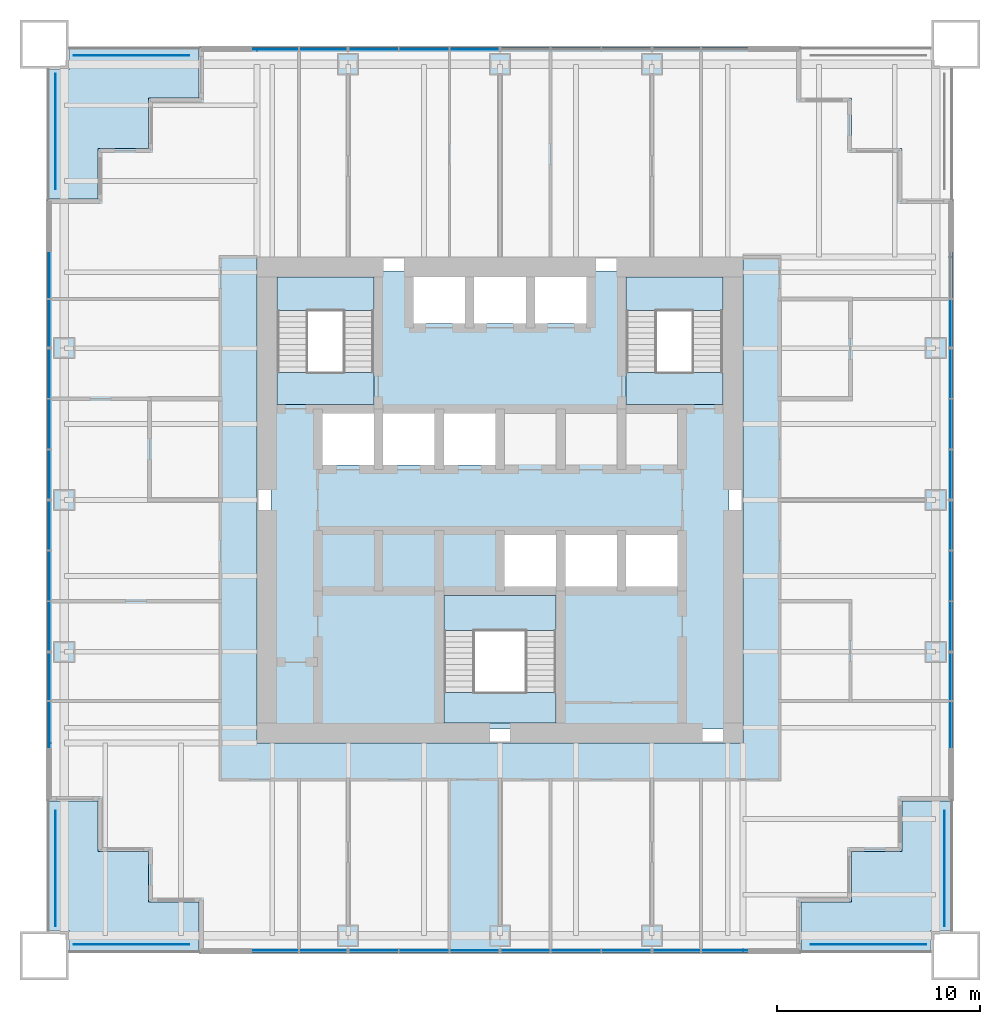
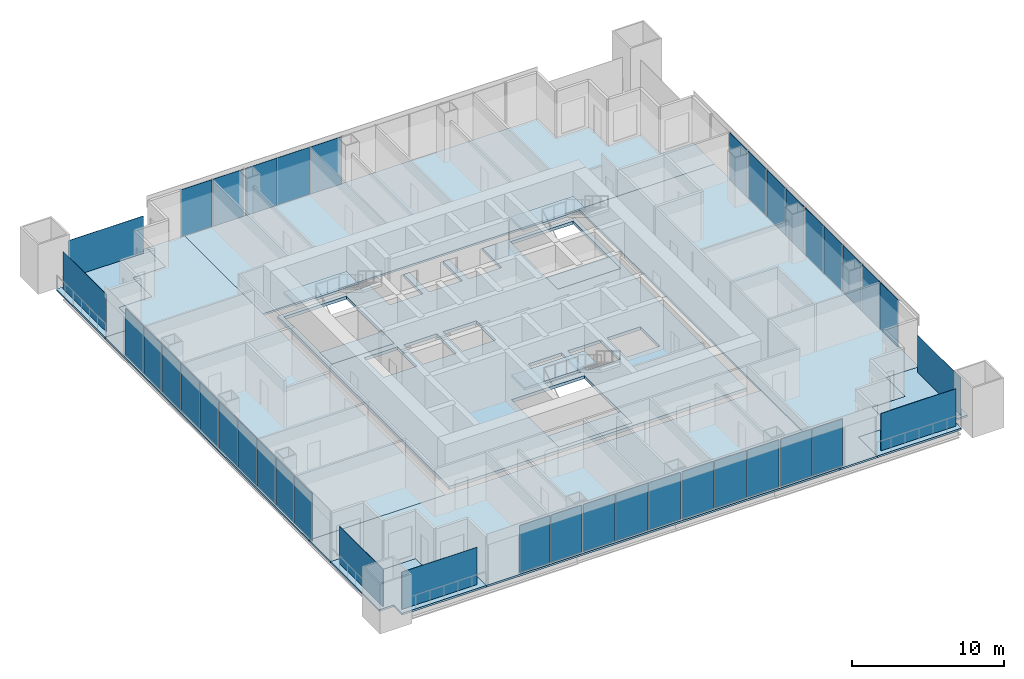
# One storey, part 7 of 13: 40 plates, 14 slabs, 17 elements without a shape of their own.
"""IFC4 building model written with IfcOpenShell, lengths in metres."""

from ifc_helpers import new_model, si_unit, direction, frame, origin, origin_2d, place, context, subcontext, project, spatial, polyline, rectangle, outline, extrude, material, layer, layer_set, type_object, element, aggregate, save


model = new_model("IFC4")

# Units and contexts
model_context = context("Model", 3, precision=1e-05, world=origin(), true_north=direction((0.0, 1.0)))
body_context = subcontext(model_context, "Body", "Model", "MODEL_VIEW")
ifc_project = project(units=[si_unit("LENGTHUNIT", "METRE"), si_unit("AREAUNIT", "SQUARE_METRE"), si_unit("VOLUMEUNIT", "CUBIC_METRE"), si_unit("PLANEANGLEUNIT", "RADIAN"), si_unit("MASSUNIT", "GRAM", prefix="KILO")], contexts=[model_context])

# Site, building, storey
site_placement = place(None, origin())
site = spatial("IfcSite", under=ifc_project, at=site_placement, CompositionType="ELEMENT")
building_placement = place(site_placement, origin())
building = spatial("IfcBuilding", under=site, at=building_placement, Name="Tarangal Relay Tower", CompositionType="ELEMENT")
storey_placement = place(building_placement, frame((0.0, 0.0, 181.89990234375)))
storey = spatial("IfcBuildingStorey", under=building, at=storey_placement, Name="L37", CompositionType="ELEMENT", Elevation=181.89990234375)

# Slabs
ifc_material_1 = material(Name="Concrete fc' 35 MPa", Category="concrete")
ifc_layer_1 = layer(ifc_material_1, 0.25)
ifc_layer_set_1 = layer_set([ifc_layer_1], Name="Core floor slab 250")
slab_type_1 = type_object("IfcSlabType", Name="Core floor slab 250", PredefinedType="FLOOR", material=ifc_layer_set_1)
slab_1_placement = place(storey_placement, frame((0.0, 0.0, -0.25)))
element("IfcSlab", 1, at=slab_1_placement, inside=storey, type_object=slab_type_1, Name="Core floor slab L37", PredefinedType="FLOOR", context=body_context, shape_type="SweptSolid", body=[
    extrude(outline(polyline([(11.300048828125, 11.300048828125), (11.300048828125, -11.300048828125), (-11.300048828125, -11.300048828125), (-11.300048828125, 11.300048828125), (-4.27490234375, 11.300048828125), (-4.27490234375, 8.72509765625), (-1.72509765625, 8.72509765625), (-1.72509765625, 11.300048828125), (-1.27490234375, 11.300048828125), (-1.27490234375, 8.72509765625), (1.27490234375, 8.72509765625), (1.27490234375, 11.300048828125), (1.72509765625, 11.300048828125), (1.72509765625, 8.72509765625), (4.27490234375, 8.72509765625), (4.27490234375, 11.300048828125), (11.300048828125, 11.300048828125)]), holes=[polyline([(-6.22509765625, 4.27490234375), (-8.77490234375, 4.27490234375), (-8.77490234375, 1.72509765625), (-6.22509765625, 1.72509765625), (-6.22509765625, 4.27490234375)]), polyline([(-3.22509765625, 1.72509765625), (-3.22509765625, 4.27490234375), (-5.77490234375, 4.27490234375), (-5.77490234375, 1.72509765625), (-3.22509765625, 1.72509765625)]), polyline([(-0.22509765625, 1.72509765625), (-0.22509765625, 4.27490234375), (-2.77490234375, 4.27490234375), (-2.77490234375, 1.72509765625), (-0.22509765625, 1.72509765625)]), polyline([(-6.22509765625, 11.0), (-11.0, 11.0), (-11.0, 4.72509765625), (-6.22509765625, 4.72509765625), (-6.22509765625, 11.0)]), polyline([(2.77490234375, -4.72509765625), (-2.77490234375, -4.72509765625), (-2.77490234375, -11.0), (2.77490234375, -11.0), (2.77490234375, -4.72509765625)]), polyline([(2.77490234375, -4.27490234375), (2.77490234375, -1.72509765625), (0.22509765625, -1.72509765625), (0.22509765625, -4.27490234375), (2.77490234375, -4.27490234375)]), polyline([(5.77490234375, -4.27490234375), (5.77490234375, -1.72509765625), (3.22509765625, -1.72509765625), (3.22509765625, -4.27490234375), (5.77490234375, -4.27490234375)]), polyline([(8.77490234375, -1.72509765625), (6.22509765625, -1.72509765625), (6.22509765625, -4.27490234375), (8.77490234375, -4.27490234375), (8.77490234375, -1.72509765625)]), polyline([(11.0, 4.72509765625), (11.0, 11.0), (6.22509765625, 11.0), (6.22509765625, 4.72509765625), (11.0, 4.72509765625)])]), origin(), (0.0, 0.0, 1.0), 0.25),
])
ifc_layer_2 = layer(ifc_material_1, 0.14990234375)
ifc_layer_set_2 = layer_set([ifc_layer_2], Name="Floor slab 150")
slab_type_2 = type_object("IfcSlabType", Name="Floor slab 150", PredefinedType="FLOOR", material=ifc_layer_set_2)
slab_2_placement = place(storey_placement, frame((0.0, 0.0, -0.14990234375)))
element("IfcSlab", 2, at=slab_2_placement, inside=storey, type_object=slab_type_2, Name="Floor slab FS3 L37 north bay", PredefinedType="FLOOR", context=body_context, shape_type="SweptSolid", body=[
    extrude(outline(polyline([(14.85009765625, 22.35009765625), (14.85009765625, 19.85009765625), (17.35009765625, 19.85009765625), (17.35009765625, 17.35009765625), (19.85009765625, 17.35009765625), (19.85009765625, 14.85009765625), (22.35009765625, 14.85009765625), (22.35009765625, 12.0), (-12.0, 12.0), (-12.0, 22.35009765625), (14.85009765625, 22.35009765625)])), origin(), (0.0, 0.0, 1.0), 0.14990234375),
])
slab_3_placement = place(storey_placement, frame((0.0, 0.0, -0.14990234375)))
element("IfcSlab", 3, at=slab_3_placement, inside=storey, type_object=slab_type_2, Name="Floor slab FS3 L37 east bay", PredefinedType="FLOOR", context=body_context, shape_type="SweptSolid", body=[
    extrude(outline(polyline([(22.35009765625, -14.85009765625), (19.85009765625, -14.85009765625), (19.85009765625, -17.35009765625), (17.35009765625, -17.35009765625), (17.35009765625, -19.85009765625), (14.85009765625, -19.85009765625), (14.85009765625, -22.35009765625), (12.0, -22.35009765625), (12.0, 12.0), (22.35009765625, 12.0), (22.35009765625, -14.85009765625)])), origin(), (0.0, 0.0, 1.0), 0.14990234375),
])
slab_4_placement = place(storey_placement, frame((0.0, 0.0, -0.14990234375)))
element("IfcSlab", 4, at=slab_4_placement, inside=storey, type_object=slab_type_2, Name="Floor slab FS3 L37 south bay", PredefinedType="FLOOR", context=body_context, shape_type="SweptSolid", body=[
    extrude(outline(polyline([(-14.85009765625, -22.35009765625), (-14.85009765625, -19.85009765625), (-17.35009765625, -19.85009765625), (-17.35009765625, -17.35009765625), (-19.85009765625, -17.35009765625), (-19.85009765625, -14.85009765625), (-22.35009765625, -14.85009765625), (-22.35009765625, -12.0), (12.0, -12.0), (12.0, -22.35009765625), (-14.85009765625, -22.35009765625)])), origin(), (0.0, 0.0, 1.0), 0.14990234375),
])
slab_5_placement = place(storey_placement, frame((0.0, 0.0, -0.14990234375)))
element("IfcSlab", 5, at=slab_5_placement, inside=storey, type_object=slab_type_2, Name="Floor slab FS3 L37 west bay", PredefinedType="FLOOR", context=body_context, shape_type="SweptSolid", body=[
    extrude(outline(polyline([(-12.0, 22.35009765625), (-12.0, -12.0), (-22.35009765625, -12.0), (-22.35009765625, 14.85009765625), (-19.85009765625, 14.85009765625), (-19.85009765625, 17.35009765625), (-17.35009765625, 17.35009765625), (-17.35009765625, 19.85009765625), (-14.85009765625, 19.85009765625), (-14.85009765625, 22.35009765625), (-12.0, 22.35009765625)])), origin(), (0.0, 0.0, 1.0), 0.14990234375),
])

# Curtain wall, plates
ifc_material_2 = material(Name="Unitised curtain wall, dark glass and black aluminium", Category="aluminium")
curtain_wall_type = type_object("IfcCurtainWallType", Name="Curtain wall CW-A", PredefinedType="USERDEFINED", material=ifc_material_2)
curtain_wall_1_placement = place(storey_placement, origin())
curtain_wall_1 = element("IfcCurtainWall", 6, at=curtain_wall_1_placement, inside=storey, type_object=curtain_wall_type, Name="Curtain wall CW-A N facade L37", ObjectType="UNITISED CURTAIN WALL", PredefinedType="USERDEFINED")
ifc_material_3 = material(Name="Dark tinted insulated glass unit", Category="glass")
ifc_layer_3 = layer(ifc_material_3, 0.031982421875)
ifc_layer_set_3 = layer_set([ifc_layer_3], Name="Glazed panel CW-A 32")
plate_type_1 = type_object("IfcPlateType", Name="Glazed panel CW-A 32", PredefinedType="CURTAIN_PANEL", material=ifc_layer_set_3)
plate_1_placement = place(storey_placement, frame((-11.108642578125, 22.25, 0.06494140625), z_axis=(0.0, 0.0, 1.0), x_axis=(1.0, 0.0, 0.0)))
plate_1 = element("IfcPlate", 7, at=plate_1_placement, type_object=plate_type_1, Name="CW-A panel 1.1", PredefinedType="CURTAIN_PANEL", context=body_context, shape_type="SweptSolid", body=[
    extrude(rectangle(XDim=2.319091796875, YDim=0.031982421875, at=origin_2d()), origin(), (0.0, 0.0, 1.0), 3.784912109375),
])
plate_2_placement = place(storey_placement, frame((-8.724609375, 22.25, 0.06494140625), z_axis=(0.0, 0.0, 1.0), x_axis=(1.0, 0.0, 0.0)))
plate_2 = element("IfcPlate", 8, at=plate_2_placement, type_object=plate_type_1, Name="CW-A panel 2.1", PredefinedType="CURTAIN_PANEL", context=body_context, shape_type="SweptSolid", body=[
    extrude(rectangle(XDim=2.319091796875, YDim=0.031982421875, at=origin_2d()), origin(), (0.0, 0.0, 1.0), 3.784912109375),
])
aggregate(curtain_wall_1, [plate_1, plate_2])

curtain_wall_2_placement = place(storey_placement, origin())
curtain_wall_2 = element("IfcCurtainWall", 9, at=curtain_wall_2_placement, inside=storey, type_object=curtain_wall_type, Name="Curtain wall CW-A N facade L37", ObjectType="UNITISED CURTAIN WALL", PredefinedType="USERDEFINED")
plate_3_placement = place(storey_placement, frame((-6.233642578125, 22.25, 0.06494140625), z_axis=(0.0, 0.0, 1.0), x_axis=(1.0, 0.0, 0.0)))
plate_3 = element("IfcPlate", 10, at=plate_3_placement, type_object=plate_type_1, Name="CW-A panel 1.1", PredefinedType="CURTAIN_PANEL", context=body_context, shape_type="SweptSolid", body=[
    extrude(rectangle(XDim=2.402587890625, YDim=0.031982421875, at=origin_2d()), origin(), (0.0, 0.0, 1.0), 3.784912109375),
])
plate_4_placement = place(storey_placement, frame((-3.75, 22.25, 0.06494140625), z_axis=(0.0, 0.0, 1.0), x_axis=(1.0, 0.0, 0.0)))
plate_4 = element("IfcPlate", 11, at=plate_4_placement, type_object=plate_type_1, Name="CW-A panel 2.1", PredefinedType="CURTAIN_PANEL", context=body_context, shape_type="SweptSolid", body=[
    extrude(rectangle(XDim=2.43505859375, YDim=0.031982421875, at=origin_2d()), origin(), (0.0, 0.0, 1.0), 3.784912109375),
])
plate_5_placement = place(storey_placement, frame((-1.266357421875, 22.25, 0.06494140625), z_axis=(0.0, 0.0, 1.0), x_axis=(1.0, 0.0, 0.0)))
plate_5 = element("IfcPlate", 12, at=plate_5_placement, type_object=plate_type_1, Name="CW-A panel 3.1", PredefinedType="CURTAIN_PANEL", context=body_context, shape_type="SweptSolid", body=[
    extrude(rectangle(XDim=2.402587890625, YDim=0.031982421875, at=origin_2d()), origin(), (0.0, 0.0, 1.0), 3.784912109375),
])
aggregate(curtain_wall_2, [plate_3, plate_4, plate_5])

# Curtain wall, plate
curtain_wall_3_placement = place(storey_placement, origin())
curtain_wall_3 = element("IfcCurtainWall", 13, at=curtain_wall_3_placement, inside=storey, type_object=curtain_wall_type, Name="Curtain wall CW-A E facade L37", ObjectType="UNITISED CURTAIN WALL", PredefinedType="USERDEFINED")
plate_6_placement = place(storey_placement, frame((22.25, 8.724609375, 0.06494140625), z_axis=(0.0, 0.0, 1.0), x_axis=(0.0, -1.0, 0.0)))
plate_6 = element("IfcPlate", 14, at=plate_6_placement, type_object=plate_type_1, Name="CW-A panel 2.1", PredefinedType="CURTAIN_PANEL", context=body_context, shape_type="SweptSolid", body=[
    extrude(rectangle(XDim=2.319091796875, YDim=0.031982421875, at=origin_2d()), origin(), (0.0, 0.0, 1.0), 3.784912109375),
])
aggregate(curtain_wall_3, [plate_6])

# Curtain wall, plates
curtain_wall_4_placement = place(storey_placement, origin())
curtain_wall_4 = element("IfcCurtainWall", 15, at=curtain_wall_4_placement, inside=storey, type_object=curtain_wall_type, Name="Curtain wall CW-A E facade L37", ObjectType="UNITISED CURTAIN WALL", PredefinedType="USERDEFINED")
plate_7_placement = place(storey_placement, frame((22.25, 6.233642578125, 0.06494140625), z_axis=(0.0, 0.0, 1.0), x_axis=(0.0, -1.0, 0.0)))
plate_7 = element("IfcPlate", 16, at=plate_7_placement, type_object=plate_type_1, Name="CW-A panel 1.1", PredefinedType="CURTAIN_PANEL", context=body_context, shape_type="SweptSolid", body=[
    extrude(rectangle(XDim=2.402587890625, YDim=0.031982421875, at=origin_2d()), origin(), (0.0, 0.0, 1.0), 3.784912109375),
])
plate_8_placement = place(storey_placement, frame((22.25, 3.75, 0.06494140625), z_axis=(0.0, 0.0, 1.0), x_axis=(0.0, -1.0, 0.0)))
plate_8 = element("IfcPlate", 17, at=plate_8_placement, type_object=plate_type_1, Name="CW-A panel 2.1", PredefinedType="CURTAIN_PANEL", context=body_context, shape_type="SweptSolid", body=[
    extrude(rectangle(XDim=2.43505859375, YDim=0.031982421875, at=origin_2d()), origin(), (0.0, 0.0, 1.0), 3.784912109375),
])
plate_9_placement = place(storey_placement, frame((22.25, 1.266357421875, 0.06494140625), z_axis=(0.0, 0.0, 1.0), x_axis=(0.0, -1.0, 0.0)))
plate_9 = element("IfcPlate", 18, at=plate_9_placement, type_object=plate_type_1, Name="CW-A panel 3.1", PredefinedType="CURTAIN_PANEL", context=body_context, shape_type="SweptSolid", body=[
    extrude(rectangle(XDim=2.402587890625, YDim=0.031982421875, at=origin_2d()), origin(), (0.0, 0.0, 1.0), 3.784912109375),
])
aggregate(curtain_wall_4, [plate_7, plate_8, plate_9])

curtain_wall_5_placement = place(storey_placement, origin())
curtain_wall_5 = element("IfcCurtainWall", 19, at=curtain_wall_5_placement, inside=storey, type_object=curtain_wall_type, Name="Curtain wall CW-A E facade L37", ObjectType="UNITISED CURTAIN WALL", PredefinedType="USERDEFINED")
plate_10_placement = place(storey_placement, frame((22.25, -1.266357421875, 0.06494140625), z_axis=(0.0, 0.0, 1.0), x_axis=(0.0, -1.0, 0.0)))
plate_10 = element("IfcPlate", 20, at=plate_10_placement, type_object=plate_type_1, Name="CW-A panel 1.1", PredefinedType="CURTAIN_PANEL", context=body_context, shape_type="SweptSolid", body=[
    extrude(rectangle(XDim=2.402587890625, YDim=0.031982421875, at=origin_2d()), origin(), (0.0, 0.0, 1.0), 3.784912109375),
])
plate_11_placement = place(storey_placement, frame((22.25, -3.75, 0.06494140625), z_axis=(0.0, 0.0, 1.0), x_axis=(0.0, -1.0, 0.0)))
plate_11 = element("IfcPlate", 21, at=plate_11_placement, type_object=plate_type_1, Name="CW-A panel 2.1", PredefinedType="CURTAIN_PANEL", context=body_context, shape_type="SweptSolid", body=[
    extrude(rectangle(XDim=2.43505859375, YDim=0.031982421875, at=origin_2d()), origin(), (0.0, 0.0, 1.0), 3.784912109375),
])
plate_12_placement = place(storey_placement, frame((22.25, -6.233642578125, 0.06494140625), z_axis=(0.0, 0.0, 1.0), x_axis=(0.0, -1.0, 0.0)))
plate_12 = element("IfcPlate", 22, at=plate_12_placement, type_object=plate_type_1, Name="CW-A panel 3.1", PredefinedType="CURTAIN_PANEL", context=body_context, shape_type="SweptSolid", body=[
    extrude(rectangle(XDim=2.402587890625, YDim=0.031982421875, at=origin_2d()), origin(), (0.0, 0.0, 1.0), 3.784912109375),
])
aggregate(curtain_wall_5, [plate_10, plate_11, plate_12])

curtain_wall_6_placement = place(storey_placement, origin())
curtain_wall_6 = element("IfcCurtainWall", 23, at=curtain_wall_6_placement, inside=storey, type_object=curtain_wall_type, Name="Curtain wall CW-A E facade L37", ObjectType="UNITISED CURTAIN WALL", PredefinedType="USERDEFINED")
plate_13_placement = place(storey_placement, frame((22.25, -8.724609375, 0.06494140625), z_axis=(0.0, 0.0, 1.0), x_axis=(0.0, -1.0, 0.0)))
plate_13 = element("IfcPlate", 24, at=plate_13_placement, type_object=plate_type_1, Name="CW-A panel 1.1", PredefinedType="CURTAIN_PANEL", context=body_context, shape_type="SweptSolid", body=[
    extrude(rectangle(XDim=2.319091796875, YDim=0.031982421875, at=origin_2d()), origin(), (0.0, 0.0, 1.0), 3.784912109375),
])
plate_14_placement = place(storey_placement, frame((22.25, -11.108642578125, 0.06494140625), z_axis=(0.0, 0.0, 1.0), x_axis=(0.0, -1.0, 0.0)))
plate_14 = element("IfcPlate", 25, at=plate_14_placement, type_object=plate_type_1, Name="CW-A panel 2.1", PredefinedType="CURTAIN_PANEL", context=body_context, shape_type="SweptSolid", body=[
    extrude(rectangle(XDim=2.319091796875, YDim=0.031982421875, at=origin_2d()), origin(), (0.0, 0.0, 1.0), 3.784912109375),
])
aggregate(curtain_wall_6, [plate_13, plate_14])

curtain_wall_7_placement = place(storey_placement, origin())
curtain_wall_7 = element("IfcCurtainWall", 26, at=curtain_wall_7_placement, inside=storey, type_object=curtain_wall_type, Name="Curtain wall CW-A S facade L37", ObjectType="UNITISED CURTAIN WALL", PredefinedType="USERDEFINED")
plate_15_placement = place(storey_placement, frame((11.108642578125, -22.25, 0.06494140625), z_axis=(0.0, 0.0, 1.0), x_axis=(-1.0, 0.0, 0.0)))
plate_15 = element("IfcPlate", 27, at=plate_15_placement, type_object=plate_type_1, Name="CW-A panel 1.1", PredefinedType="CURTAIN_PANEL", context=body_context, shape_type="SweptSolid", body=[
    extrude(rectangle(XDim=2.319091796875, YDim=0.031982421875, at=origin_2d()), origin(), (0.0, 0.0, 1.0), 3.784912109375),
])
plate_16_placement = place(storey_placement, frame((8.724609375, -22.25, 0.06494140625), z_axis=(0.0, 0.0, 1.0), x_axis=(-1.0, 0.0, 0.0)))
plate_16 = element("IfcPlate", 28, at=plate_16_placement, type_object=plate_type_1, Name="CW-A panel 2.1", PredefinedType="CURTAIN_PANEL", context=body_context, shape_type="SweptSolid", body=[
    extrude(rectangle(XDim=2.319091796875, YDim=0.031982421875, at=origin_2d()), origin(), (0.0, 0.0, 1.0), 3.784912109375),
])
aggregate(curtain_wall_7, [plate_15, plate_16])

curtain_wall_8_placement = place(storey_placement, origin())
curtain_wall_8 = element("IfcCurtainWall", 29, at=curtain_wall_8_placement, inside=storey, type_object=curtain_wall_type, Name="Curtain wall CW-A S facade L37", ObjectType="UNITISED CURTAIN WALL", PredefinedType="USERDEFINED")
plate_17_placement = place(storey_placement, frame((6.233642578125, -22.25, 0.06494140625), z_axis=(0.0, 0.0, 1.0), x_axis=(-1.0, 0.0, 0.0)))
plate_17 = element("IfcPlate", 30, at=plate_17_placement, type_object=plate_type_1, Name="CW-A panel 1.1", PredefinedType="CURTAIN_PANEL", context=body_context, shape_type="SweptSolid", body=[
    extrude(rectangle(XDim=2.402587890625, YDim=0.031982421875, at=origin_2d()), origin(), (0.0, 0.0, 1.0), 3.784912109375),
])
plate_18_placement = place(storey_placement, frame((3.75, -22.25, 0.06494140625), z_axis=(0.0, 0.0, 1.0), x_axis=(-1.0, 0.0, 0.0)))
plate_18 = element("IfcPlate", 31, at=plate_18_placement, type_object=plate_type_1, Name="CW-A panel 2.1", PredefinedType="CURTAIN_PANEL", context=body_context, shape_type="SweptSolid", body=[
    extrude(rectangle(XDim=2.43505859375, YDim=0.031982421875, at=origin_2d()), origin(), (0.0, 0.0, 1.0), 3.784912109375),
])
plate_19_placement = place(storey_placement, frame((1.266357421875, -22.25, 0.06494140625), z_axis=(0.0, 0.0, 1.0), x_axis=(-1.0, 0.0, 0.0)))
plate_19 = element("IfcPlate", 32, at=plate_19_placement, type_object=plate_type_1, Name="CW-A panel 3.1", PredefinedType="CURTAIN_PANEL", context=body_context, shape_type="SweptSolid", body=[
    extrude(rectangle(XDim=2.402587890625, YDim=0.031982421875, at=origin_2d()), origin(), (0.0, 0.0, 1.0), 3.784912109375),
])
aggregate(curtain_wall_8, [plate_17, plate_18, plate_19])

curtain_wall_9_placement = place(storey_placement, origin())
curtain_wall_9 = element("IfcCurtainWall", 33, at=curtain_wall_9_placement, inside=storey, type_object=curtain_wall_type, Name="Curtain wall CW-A S facade L37", ObjectType="UNITISED CURTAIN WALL", PredefinedType="USERDEFINED")
plate_20_placement = place(storey_placement, frame((-1.266357421875, -22.25, 0.06494140625), z_axis=(0.0, 0.0, 1.0), x_axis=(-1.0, 0.0, 0.0)))
plate_20 = element("IfcPlate", 34, at=plate_20_placement, type_object=plate_type_1, Name="CW-A panel 1.1", PredefinedType="CURTAIN_PANEL", context=body_context, shape_type="SweptSolid", body=[
    extrude(rectangle(XDim=2.402587890625, YDim=0.031982421875, at=origin_2d()), origin(), (0.0, 0.0, 1.0), 3.784912109375),
])
plate_21_placement = place(storey_placement, frame((-3.75, -22.25, 0.06494140625), z_axis=(0.0, 0.0, 1.0), x_axis=(-1.0, 0.0, 0.0)))
plate_21 = element("IfcPlate", 35, at=plate_21_placement, type_object=plate_type_1, Name="CW-A panel 2.1", PredefinedType="CURTAIN_PANEL", context=body_context, shape_type="SweptSolid", body=[
    extrude(rectangle(XDim=2.43505859375, YDim=0.031982421875, at=origin_2d()), origin(), (0.0, 0.0, 1.0), 3.784912109375),
])
plate_22_placement = place(storey_placement, frame((-6.233642578125, -22.25, 0.06494140625), z_axis=(0.0, 0.0, 1.0), x_axis=(-1.0, 0.0, 0.0)))
plate_22 = element("IfcPlate", 36, at=plate_22_placement, type_object=plate_type_1, Name="CW-A panel 3.1", PredefinedType="CURTAIN_PANEL", context=body_context, shape_type="SweptSolid", body=[
    extrude(rectangle(XDim=2.402587890625, YDim=0.031982421875, at=origin_2d()), origin(), (0.0, 0.0, 1.0), 3.784912109375),
])
aggregate(curtain_wall_9, [plate_20, plate_21, plate_22])

curtain_wall_10_placement = place(storey_placement, origin())
curtain_wall_10 = element("IfcCurtainWall", 37, at=curtain_wall_10_placement, inside=storey, type_object=curtain_wall_type, Name="Curtain wall CW-A S facade L37", ObjectType="UNITISED CURTAIN WALL", PredefinedType="USERDEFINED")
plate_23_placement = place(storey_placement, frame((-8.724609375, -22.25, 0.06494140625), z_axis=(0.0, 0.0, 1.0), x_axis=(-1.0, 0.0, 0.0)))
plate_23 = element("IfcPlate", 38, at=plate_23_placement, type_object=plate_type_1, Name="CW-A panel 1.1", PredefinedType="CURTAIN_PANEL", context=body_context, shape_type="SweptSolid", body=[
    extrude(rectangle(XDim=2.319091796875, YDim=0.031982421875, at=origin_2d()), origin(), (0.0, 0.0, 1.0), 3.784912109375),
])
plate_24_placement = place(storey_placement, frame((-11.108642578125, -22.25, 0.06494140625), z_axis=(0.0, 0.0, 1.0), x_axis=(-1.0, 0.0, 0.0)))
plate_24 = element("IfcPlate", 39, at=plate_24_placement, type_object=plate_type_1, Name="CW-A panel 2.1", PredefinedType="CURTAIN_PANEL", context=body_context, shape_type="SweptSolid", body=[
    extrude(rectangle(XDim=2.319091796875, YDim=0.031982421875, at=origin_2d()), origin(), (0.0, 0.0, 1.0), 3.784912109375),
])
aggregate(curtain_wall_10, [plate_23, plate_24])

curtain_wall_11_placement = place(storey_placement, origin())
curtain_wall_11 = element("IfcCurtainWall", 40, at=curtain_wall_11_placement, inside=storey, type_object=curtain_wall_type, Name="Curtain wall CW-A W facade L37", ObjectType="UNITISED CURTAIN WALL", PredefinedType="USERDEFINED")
plate_25_placement = place(storey_placement, frame((-22.25, -11.108642578125, 0.06494140625), z_axis=(0.0, 0.0, 1.0), x_axis=(0.0, 1.0, 0.0)))
plate_25 = element("IfcPlate", 41, at=plate_25_placement, type_object=plate_type_1, Name="CW-A panel 1.1", PredefinedType="CURTAIN_PANEL", context=body_context, shape_type="SweptSolid", body=[
    extrude(rectangle(XDim=2.319091796875, YDim=0.031982421875, at=origin_2d()), origin(), (0.0, 0.0, 1.0), 3.784912109375),
])
plate_26_placement = place(storey_placement, frame((-22.25, -8.724609375, 0.06494140625), z_axis=(0.0, 0.0, 1.0), x_axis=(0.0, 1.0, 0.0)))
plate_26 = element("IfcPlate", 42, at=plate_26_placement, type_object=plate_type_1, Name="CW-A panel 2.1", PredefinedType="CURTAIN_PANEL", context=body_context, shape_type="SweptSolid", body=[
    extrude(rectangle(XDim=2.319091796875, YDim=0.031982421875, at=origin_2d()), origin(), (0.0, 0.0, 1.0), 3.784912109375),
])
aggregate(curtain_wall_11, [plate_25, plate_26])

curtain_wall_12_placement = place(storey_placement, origin())
curtain_wall_12 = element("IfcCurtainWall", 43, at=curtain_wall_12_placement, inside=storey, type_object=curtain_wall_type, Name="Curtain wall CW-A W facade L37", ObjectType="UNITISED CURTAIN WALL", PredefinedType="USERDEFINED")
plate_27_placement = place(storey_placement, frame((-22.25, -6.233642578125, 0.06494140625), z_axis=(0.0, 0.0, 1.0), x_axis=(0.0, 1.0, 0.0)))
plate_27 = element("IfcPlate", 44, at=plate_27_placement, type_object=plate_type_1, Name="CW-A panel 1.1", PredefinedType="CURTAIN_PANEL", context=body_context, shape_type="SweptSolid", body=[
    extrude(rectangle(XDim=2.402587890625, YDim=0.031982421875, at=origin_2d()), origin(), (0.0, 0.0, 1.0), 3.784912109375),
])
plate_28_placement = place(storey_placement, frame((-22.25, -3.75, 0.06494140625), z_axis=(0.0, 0.0, 1.0), x_axis=(0.0, 1.0, 0.0)))
plate_28 = element("IfcPlate", 45, at=plate_28_placement, type_object=plate_type_1, Name="CW-A panel 2.1", PredefinedType="CURTAIN_PANEL", context=body_context, shape_type="SweptSolid", body=[
    extrude(rectangle(XDim=2.43505859375, YDim=0.031982421875, at=origin_2d()), origin(), (0.0, 0.0, 1.0), 3.784912109375),
])
plate_29_placement = place(storey_placement, frame((-22.25, -1.266357421875, 0.06494140625), z_axis=(0.0, 0.0, 1.0), x_axis=(0.0, 1.0, 0.0)))
plate_29 = element("IfcPlate", 46, at=plate_29_placement, type_object=plate_type_1, Name="CW-A panel 3.1", PredefinedType="CURTAIN_PANEL", context=body_context, shape_type="SweptSolid", body=[
    extrude(rectangle(XDim=2.402587890625, YDim=0.031982421875, at=origin_2d()), origin(), (0.0, 0.0, 1.0), 3.784912109375),
])
aggregate(curtain_wall_12, [plate_27, plate_28, plate_29])

curtain_wall_13_placement = place(storey_placement, origin())
curtain_wall_13 = element("IfcCurtainWall", 47, at=curtain_wall_13_placement, inside=storey, type_object=curtain_wall_type, Name="Curtain wall CW-A W facade L37", ObjectType="UNITISED CURTAIN WALL", PredefinedType="USERDEFINED")
plate_30_placement = place(storey_placement, frame((-22.25, 1.266357421875, 0.06494140625), z_axis=(0.0, 0.0, 1.0), x_axis=(0.0, 1.0, 0.0)))
plate_30 = element("IfcPlate", 48, at=plate_30_placement, type_object=plate_type_1, Name="CW-A panel 1.1", PredefinedType="CURTAIN_PANEL", context=body_context, shape_type="SweptSolid", body=[
    extrude(rectangle(XDim=2.402587890625, YDim=0.031982421875, at=origin_2d()), origin(), (0.0, 0.0, 1.0), 3.784912109375),
])
plate_31_placement = place(storey_placement, frame((-22.25, 3.75, 0.06494140625), z_axis=(0.0, 0.0, 1.0), x_axis=(0.0, 1.0, 0.0)))
plate_31 = element("IfcPlate", 49, at=plate_31_placement, type_object=plate_type_1, Name="CW-A panel 2.1", PredefinedType="CURTAIN_PANEL", context=body_context, shape_type="SweptSolid", body=[
    extrude(rectangle(XDim=2.43505859375, YDim=0.031982421875, at=origin_2d()), origin(), (0.0, 0.0, 1.0), 3.784912109375),
])
plate_32_placement = place(storey_placement, frame((-22.25, 6.233642578125, 0.06494140625), z_axis=(0.0, 0.0, 1.0), x_axis=(0.0, 1.0, 0.0)))
plate_32 = element("IfcPlate", 50, at=plate_32_placement, type_object=plate_type_1, Name="CW-A panel 3.1", PredefinedType="CURTAIN_PANEL", context=body_context, shape_type="SweptSolid", body=[
    extrude(rectangle(XDim=2.402587890625, YDim=0.031982421875, at=origin_2d()), origin(), (0.0, 0.0, 1.0), 3.784912109375),
])
aggregate(curtain_wall_13, [plate_30, plate_31, plate_32])

curtain_wall_14_placement = place(storey_placement, origin())
curtain_wall_14 = element("IfcCurtainWall", 51, at=curtain_wall_14_placement, inside=storey, type_object=curtain_wall_type, Name="Curtain wall CW-A W facade L37", ObjectType="UNITISED CURTAIN WALL", PredefinedType="USERDEFINED")
plate_33_placement = place(storey_placement, frame((-22.25, 8.724609375, 0.06494140625), z_axis=(0.0, 0.0, 1.0), x_axis=(0.0, 1.0, 0.0)))
plate_33 = element("IfcPlate", 52, at=plate_33_placement, type_object=plate_type_1, Name="CW-A panel 1.1", PredefinedType="CURTAIN_PANEL", context=body_context, shape_type="SweptSolid", body=[
    extrude(rectangle(XDim=2.319091796875, YDim=0.031982421875, at=origin_2d()), origin(), (0.0, 0.0, 1.0), 3.784912109375),
])
plate_34_placement = place(storey_placement, frame((-22.25, 11.108642578125, 0.06494140625), z_axis=(0.0, 0.0, 1.0), x_axis=(0.0, 1.0, 0.0)))
plate_34 = element("IfcPlate", 53, at=plate_34_placement, type_object=plate_type_1, Name="CW-A panel 2.1", PredefinedType="CURTAIN_PANEL", context=body_context, shape_type="SweptSolid", body=[
    extrude(rectangle(XDim=2.319091796875, YDim=0.031982421875, at=origin_2d()), origin(), (0.0, 0.0, 1.0), 3.784912109375),
])
aggregate(curtain_wall_14, [plate_33, plate_34])

# Plates
ifc_material_4 = material(Name="Black stainless steel cable trellis with climbing planting", Category="steel")
ifc_layer_4 = layer(ifc_material_4, 0.030029296875)
ifc_layer_set_4 = layer_set([ifc_layer_4], Name="Planted trellis screen")
plate_type_2 = type_object("IfcPlateType", Name="Planted trellis screen", PredefinedType="SHEET", material=ifc_layer_set_4)
for number, where, z_axis, x_axis, name in (
    (54, (18.199951171875, -21.949951171875, 0.0), (0.0, 0.0, 1.0), (-1.0, 0.0, 0.0), "Planted trellis SC2 SE L37"),
    (55, (-21.949951171875, -18.199951171875, 0.0), (0.0, 0.0, 1.0), (0.0, 1.0, 0.0), "Planted trellis SC2 SW L37"),
    (56, (-18.199951171875, 21.949951171875, 0.0), (0.0, 0.0, 1.0), (1.0, 0.0, 0.0), "Planted trellis SC2 NW L37"),
):
    element("IfcPlate", number, at=place(storey_placement, frame(where, z_axis=z_axis, x_axis=x_axis)), inside=storey, type_object=plate_type_2, Name=name, PredefinedType="SHEET", context=body_context, shape_type="SweptSolid", body=[
        extrude(rectangle(XDim=5.699951171875, YDim=0.030029296875, at=origin_2d()), origin(), (0.0, 0.0, 1.0), 3.0),
    ])

# Stair, slabs
ifc_material_5 = material(Name="Steel ASTM A992 stair flight", Category="steel")
stair_type = type_object("IfcStairType", Name="Core stair 1500", PredefinedType="HALF_TURN_STAIR", material=ifc_material_5)
stair_1_placement = place(storey_placement, origin())
stair_1 = element("IfcStair", 57, at=stair_1_placement, inside=storey, type_object=stair_type, Name="Stair ST-A L37", PredefinedType="HALF_TURN_STAIR")
ifc_layer_5 = layer(ifc_material_1, 0.199951171875)
ifc_layer_set_5 = layer_set([ifc_layer_5], Name="Stair landing 200")
slab_type_3 = type_object("IfcSlabType", Name="Stair landing 200", PredefinedType="LANDING", material=ifc_layer_set_5)
slab_6_placement = place(storey_placement, frame((0.0, 0.0, -0.199951171875)))
slab_6 = element("IfcSlab", 58, at=slab_6_placement, type_object=slab_type_3, Name="ST-A landing 1", PredefinedType="LANDING", context=body_context, shape_type="SweptSolid", body=[
    extrude(outline(polyline([(-11.0, 4.72509765625), (-6.22509765625, 4.72509765625), (-6.22509765625, 6.300048828125), (-11.0, 6.300048828125), (-11.0, 4.72509765625)])), origin(), (0.0, 0.0, 1.0), 0.199951171875),
])
slab_7_placement = place(storey_placement, frame((0.0, 0.0, 1.800048828125)))
slab_7 = element("IfcSlab", 59, at=slab_7_placement, type_object=slab_type_3, Name="ST-A landing 2", PredefinedType="LANDING", context=body_context, shape_type="SweptSolid", body=[
    extrude(outline(polyline([(-11.0, 9.346923828125), (-6.22509765625, 9.346923828125), (-6.22509765625, 11.0), (-11.0, 11.0), (-11.0, 9.346923828125)])), origin(), (0.0, 0.0, 1.0), 0.199951171875),
])
aggregate(stair_1, [slab_6, slab_7])

stair_2_placement = place(storey_placement, origin())
stair_2 = element("IfcStair", 60, at=stair_2_placement, inside=storey, type_object=stair_type, Name="Stair ST-B L37", PredefinedType="HALF_TURN_STAIR")
slab_8_placement = place(storey_placement, frame((0.0, 0.0, -0.199951171875)))
slab_8 = element("IfcSlab", 61, at=slab_8_placement, type_object=slab_type_3, Name="ST-B landing 1", PredefinedType="LANDING", context=body_context, shape_type="SweptSolid", body=[
    extrude(outline(polyline([(6.22509765625, 4.72509765625), (11.0, 4.72509765625), (11.0, 6.300048828125), (6.22509765625, 6.300048828125), (6.22509765625, 4.72509765625)])), origin(), (0.0, 0.0, 1.0), 0.199951171875),
])
slab_9_placement = place(storey_placement, frame((0.0, 0.0, 1.800048828125)))
slab_9 = element("IfcSlab", 62, at=slab_9_placement, type_object=slab_type_3, Name="ST-B landing 2", PredefinedType="LANDING", context=body_context, shape_type="SweptSolid", body=[
    extrude(outline(polyline([(6.22509765625, 9.346923828125), (11.0, 9.346923828125), (11.0, 11.0), (6.22509765625, 11.0), (6.22509765625, 9.346923828125)])), origin(), (0.0, 0.0, 1.0), 0.199951171875),
])
aggregate(stair_2, [slab_8, slab_9])

stair_3_placement = place(storey_placement, origin())
stair_3 = element("IfcStair", 63, at=stair_3_placement, inside=storey, type_object=stair_type, Name="Stair ST-C L37", PredefinedType="HALF_TURN_STAIR")
slab_10_placement = place(storey_placement, frame((0.0, 0.0, -0.199951171875)))
slab_10 = element("IfcSlab", 64, at=slab_10_placement, type_object=slab_type_3, Name="ST-C landing 1", PredefinedType="LANDING", context=body_context, shape_type="SweptSolid", body=[
    extrude(outline(polyline([(-2.77490234375, -11.0), (2.77490234375, -11.0), (2.77490234375, -9.5), (-2.77490234375, -9.5), (-2.77490234375, -11.0)])), origin(), (0.0, 0.0, 1.0), 0.199951171875),
])
slab_11_placement = place(storey_placement, frame((0.0, 0.0, 1.800048828125)))
slab_11 = element("IfcSlab", 65, at=slab_11_placement, type_object=slab_type_3, Name="ST-C landing 2", PredefinedType="LANDING", context=body_context, shape_type="SweptSolid", body=[
    extrude(outline(polyline([(-2.77490234375, -6.452880859375), (2.77490234375, -6.452880859375), (2.77490234375, -4.72509765625), (-2.77490234375, -4.72509765625), (-2.77490234375, -6.452880859375)])), origin(), (0.0, 0.0, 1.0), 0.199951171875),
])
aggregate(stair_3, [slab_10, slab_11])

# Plates
ifc_material_6 = material(Name="Perforated black aluminium screen", Category="aluminium")
ifc_layer_6 = layer(ifc_material_6, 0.02001953125)
ifc_layer_set_6 = layer_set([ifc_layer_6], Name="Terrace screen panel")
plate_type_3 = type_object("IfcPlateType", Name="Terrace screen panel", PredefinedType="SHEET", material=ifc_layer_set_6)
for number, where, z_axis, x_axis, name in (
    (66, (21.949951171875, -18.199951171875, 0.0), (0.0, 0.0, 1.0), (0.0, -1.0, 0.0), "Terrace screen SC1 SE L37"),
    (67, (-18.199951171875, -21.949951171875, 0.0), (0.0, 0.0, 1.0), (-1.0, 0.0, 0.0), "Terrace screen SC1 SW L37"),
    (68, (-21.949951171875, 18.199951171875, 0.0), (0.0, 0.0, 1.0), (0.0, 1.0, 0.0), "Terrace screen SC1 NW L37"),
):
    element("IfcPlate", number, at=place(storey_placement, frame(where, z_axis=z_axis, x_axis=x_axis)), inside=storey, type_object=plate_type_3, Name=name, PredefinedType="SHEET", context=body_context, shape_type="SweptSolid", body=[
        extrude(rectangle(XDim=5.699951171875, YDim=0.02001953125, at=origin_2d()), origin(), (0.0, 0.0, 1.0), 3.0),
    ])

# Slabs
ifc_layer_7 = layer(ifc_material_1, 0.14990234375)
ifc_layer_set_7 = layer_set([ifc_layer_7], Name="Terrace slab 150")
slab_type_4 = type_object("IfcSlabType", Name="Terrace slab 150", PredefinedType="FLOOR", material=ifc_layer_set_7)
slab_12_placement = place(storey_placement, frame((0.0, 0.0, -0.14990234375)))
element("IfcSlab", 69, at=slab_12_placement, inside=storey, type_object=slab_type_4, Name="Corner terrace SE L37", PredefinedType="FLOOR", context=body_context, shape_type="SweptSolid", body=[
    extrude(outline(polyline([(22.35009765625, -14.85009765625), (19.85009765625, -14.85009765625), (19.85009765625, -17.35009765625), (17.35009765625, -17.35009765625), (17.35009765625, -19.85009765625), (14.85009765625, -19.85009765625), (14.85009765625, -22.35009765625), (21.25, -22.35009765625), (21.25, -21.25), (22.35009765625, -21.25), (22.35009765625, -14.85009765625)])), origin(), (0.0, 0.0, 1.0), 0.14990234375),
])
slab_13_placement = place(storey_placement, frame((0.0, 0.0, -0.14990234375)))
element("IfcSlab", 70, at=slab_13_placement, inside=storey, type_object=slab_type_4, Name="Corner terrace SW L37", PredefinedType="FLOOR", context=body_context, shape_type="SweptSolid", body=[
    extrude(outline(polyline([(-14.85009765625, -22.35009765625), (-14.85009765625, -19.85009765625), (-17.35009765625, -19.85009765625), (-17.35009765625, -17.35009765625), (-19.85009765625, -17.35009765625), (-19.85009765625, -14.85009765625), (-22.35009765625, -14.85009765625), (-22.35009765625, -21.25), (-21.25, -21.25), (-21.25, -22.35009765625), (-14.85009765625, -22.35009765625)])), origin(), (0.0, 0.0, 1.0), 0.14990234375),
])
slab_14_placement = place(storey_placement, frame((0.0, 0.0, -0.14990234375)))
element("IfcSlab", 71, at=slab_14_placement, inside=storey, type_object=slab_type_4, Name="Corner terrace NW L37", PredefinedType="FLOOR", context=body_context, shape_type="SweptSolid", body=[
    extrude(outline(polyline([(-22.35009765625, 14.85009765625), (-19.85009765625, 14.85009765625), (-19.85009765625, 17.35009765625), (-17.35009765625, 17.35009765625), (-17.35009765625, 19.85009765625), (-14.85009765625, 19.85009765625), (-14.85009765625, 22.35009765625), (-21.25, 22.35009765625), (-21.25, 21.25), (-22.35009765625, 21.25), (-22.35009765625, 14.85009765625)])), origin(), (0.0, 0.0, 1.0), 0.14990234375),
])

save(model, "model.ifc")
